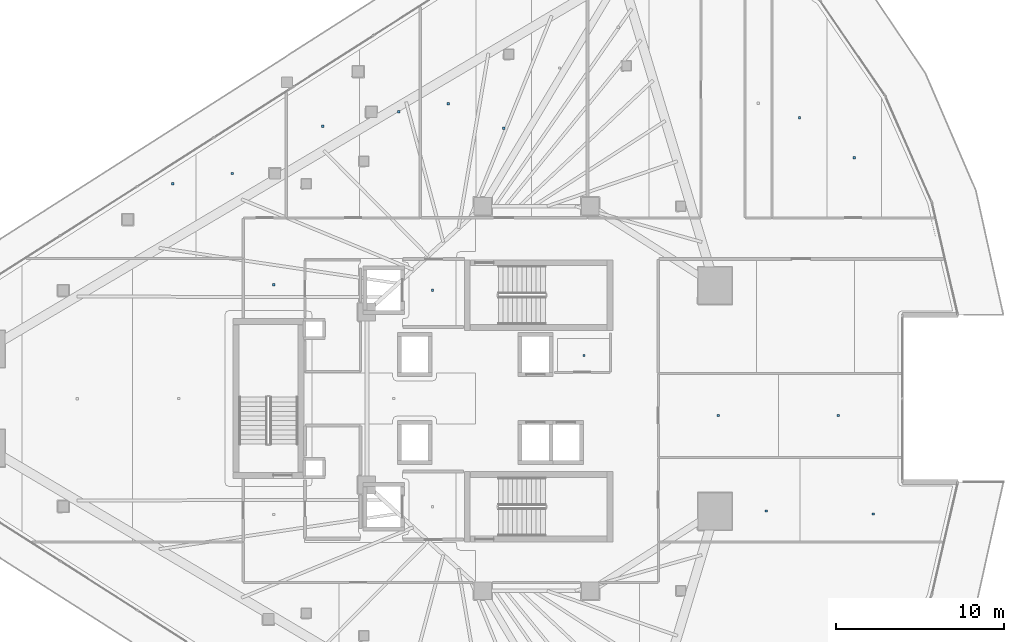
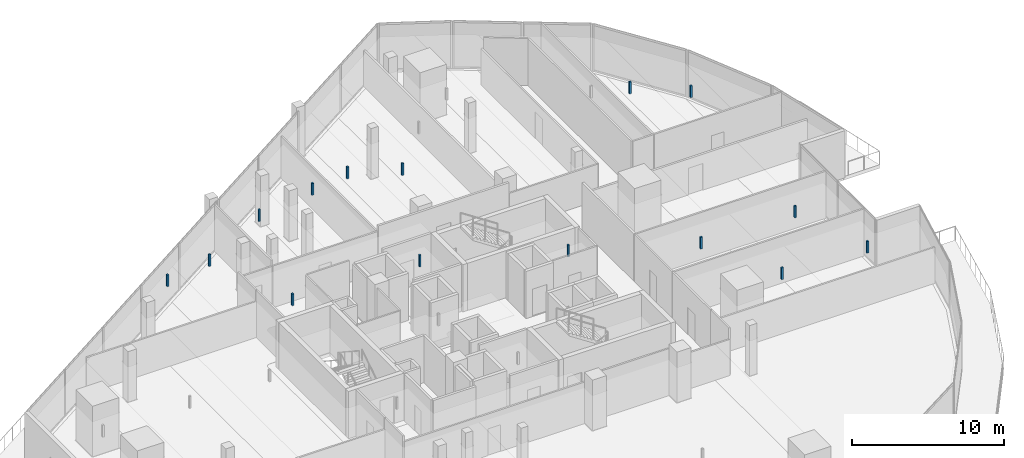
# One storey, part 27 of 35: 15 discrete accessories.
"""IFC4 building model written with IfcOpenShell, lengths in metres."""

import ifcopenshell
import ifcopenshell.guid

model = None  # the IFC model being written
_history = None  # IfcOwnerHistory: only IFC2X3 demands one
_inside = {}  # id of a spatial element -> (the spatial element, [elements in it])
_under = {}  # id of a project, library or spatial element -> (it, [spatial elements below it])
_declared = {}  # id of a project -> (the project, [libraries it declares])
_typed = {}  # id of a type object -> (the type object, [elements of that type])
_made_of = {}  # id of a material, layer set ... -> (it, [elements and type objects made of it])


def new_model(schema):
    """Start an empty IFC model of exactly this schema.

    Asked for "IFC4X3", IfcOpenShell would pick the latest addendum, in which some entities
    have other attributes; the version numbers below select the first issue.
    IFC2X3 requires an IfcOwnerHistory on every rooted entity: one is made here for all.
    """
    global model, _history
    if schema == "IFC4X3":
        model = ifcopenshell.file(schema_version=(4, 3, 0, 0))
    else:
        model = ifcopenshell.file(schema=schema)
    _inside.clear()
    _under.clear()
    _declared.clear()
    _typed.clear()
    _made_of.clear()
    _history = None
    if model.schema == "IFC2X3":
        org = make("IfcOrganization", Name="unknown")
        user = make(
            "IfcPersonAndOrganization",
            ThePerson=make("IfcPerson", FamilyName="unknown"),
            TheOrganization=org,
        )
        app = make(
            "IfcApplication",
            ApplicationDeveloper=org,
            Version="unknown",
            ApplicationFullName="unknown",
            ApplicationIdentifier="unknown",
        )
        _history = make(
            "IfcOwnerHistory",
            OwningUser=user,
            OwningApplication=app,
            ChangeAction="ADDED",
            CreationDate=0,
        )
    return model


def make(cls, **values):
    """One entity of the class cls with the attributes given. An attribute that is None is left unset."""
    return model.create_entity(
        cls, **{name: value for name, value in values.items() if value is not None}
    )


def rooted(cls, **values):
    """An entity with a GlobalId (a new one), such as an element, a storey or a relation."""
    return make(cls, GlobalId=ifcopenshell.guid.new(), OwnerHistory=_history, **values)


def si_unit(unit_type, name, prefix=None):
    """IfcSIUnit, for example si_unit("LENGTHUNIT", "METRE", prefix="MILLI")."""
    return make("IfcSIUnit", UnitType=unit_type, Prefix=prefix, Name=name)


def assignment(units):
    """IfcUnitAssignment: the units of a project."""
    return None if units is None else make("IfcUnitAssignment", Units=units)


def point(xyz):
    """IfcCartesianPoint."""
    return None if xyz is None else make("IfcCartesianPoint", Coordinates=xyz)


def direction(xyz):
    """IfcDirection."""
    return None if xyz is None else make("IfcDirection", DirectionRatios=xyz)


def frame(location, z_axis=None, x_axis=None):
    """IfcAxis2Placement3D, a coordinate frame: its origin and axes. An axis left out is left unset."""
    return make(
        "IfcAxis2Placement3D",
        Location=point(location),
        Axis=direction(z_axis),
        RefDirection=direction(x_axis),
    )


def frame_2d(location, x_axis=None):
    """IfcAxis2Placement2D, a coordinate frame in the plane: its origin and x axis."""
    return make(
        "IfcAxis2Placement2D", Location=point(location), RefDirection=direction(x_axis)
    )


def origin():
    """The frame at (0, 0, 0) with its axes left unset."""
    return frame((0.0, 0.0, 0.0))


def origin_2d():
    """The frame at (0, 0) in the plane with its x axis left unset."""
    return frame_2d((0.0, 0.0))


def place(relative_to, where):
    """IfcLocalPlacement: puts the frame where relative to a parent placement (None: the world)."""
    return make(
        "IfcLocalPlacement", PlacementRelTo=relative_to, RelativePlacement=where
    )


def context(
    kind, dimensions, precision=None, world=None, true_north=None, identifier=None
):
    """IfcGeometricRepresentationContext, for example the 3D "Model" context."""
    return make(
        "IfcGeometricRepresentationContext",
        ContextIdentifier=identifier,
        ContextType=kind,
        CoordinateSpaceDimension=dimensions,
        Precision=precision,
        WorldCoordinateSystem=world,
        TrueNorth=true_north,
    )


def subcontext(parent, identifier, kind, view, scale=None):
    """IfcGeometricRepresentationSubContext, for example "Body" below "Model"."""
    return make(
        "IfcGeometricRepresentationSubContext",
        ContextIdentifier=identifier,
        ContextType=kind,
        ParentContext=parent,
        TargetScale=scale,
        TargetView=view,
    )


def project(units=None, contexts=None):
    """IfcProject with its units and contexts."""
    return rooted(
        "IfcProject",
        Name="project",
        RepresentationContexts=contexts,
        UnitsInContext=assignment(units),
    )


def spatial(cls, under=None, at=None, **own):
    """A site, building, storey or space (cls), placed at a placement, below another one or the project."""
    s = rooted(cls, ObjectPlacement=at, **own)
    if under is not None:
        _under.setdefault(under.id(), (under, []))[1].append(s)
    return s


def profile(cls, at=None, kind="AREA", **sizes):
    """A parametric profile (cls). Its sizes go by their IFC names, for example OverallWidth=200.0."""
    return make(cls, ProfileType=kind, Position=at, **sizes)


def rectangle(**sizes):
    """IfcRectangleProfileDef."""
    return profile("IfcRectangleProfileDef", **sizes)


def extrude(swept, where, along, depth):
    """IfcExtrudedAreaSolid: the profile swept, set in the frame where, extruded along a direction by depth."""
    return make(
        "IfcExtrudedAreaSolid",
        SweptArea=swept,
        Position=where,
        ExtrudedDirection=direction(along),
        Depth=depth,
    )


def shape(context_of_items, identifier, shape_type, items):
    """IfcShapeRepresentation: the items that make up one representation, for example the "Body"."""
    return make(
        "IfcShapeRepresentation",
        ContextOfItems=context_of_items,
        RepresentationIdentifier=identifier,
        RepresentationType=shape_type,
        Items=items,
    )


def material(Name=None, Category=None):
    """IfcMaterial."""
    return make("IfcMaterial", Name=Name, Category=Category)


def made_of(thing, what):
    """Note that an element or type object is made of a material, layer set ...; save() writes the relation."""
    if what is not None:
        _made_of.setdefault(what.id(), (what, []))[1].append(thing)
    return thing


def type_object(cls, material=None, **own):
    """A type object (cls), such as IfcWallType, which elements share."""
    return made_of(rooted(cls, **own), material)


def element(
    cls,
    number,
    at=None,
    inside=None,
    cuts=None,
    type_object=None,
    material=None,
    context=None,
    identifier="Body",
    shape_type=None,
    held_by="IfcProductDefinitionShape",
    body=None,
    shapes=None,
    **own,
):
    """One element of the class cls, such as IfcWall. Its Tag is "e" and its number.

    at: its placement. inside: the storey or other place that contains it. cuts: it is an
    opening in that element (IfcRelVoidsElement). A single representation is given by context,
    identifier, shape_type and body (its items); several are given by shapes. held_by: the class
    of the entity that holds the representations. save() writes the other relations.
    """
    e = rooted(cls, Tag="e%d" % number, ObjectPlacement=at, **own)
    if body is not None:
        shapes = [shape(context, identifier, shape_type, body)]
    if shapes is not None:
        e.Representation = make(held_by, Representations=shapes)
    if inside is not None:
        _inside.setdefault(inside.id(), (inside, []))[1].append(e)
    if cuts is not None:
        rooted(
            "IfcRelVoidsElement", RelatingBuildingElement=cuts, RelatedOpeningElement=e
        )
    if type_object is not None:
        _typed.setdefault(type_object.id(), (type_object, []))[1].append(e)
    return made_of(e, material)


def aggregate(whole, parts):
    """IfcRelAggregates: a whole, such as a stair, and the parts it consists of."""
    return rooted("IfcRelAggregates", RelatingObject=whole, RelatedObjects=parts)


def save(model, path):
    """Write the relations noted so far, then the file.

    IfcRelAggregates (storeys below a building ...), IfcRelContainedInSpatialStructure (elements
    in a storey), IfcRelDefinesByType, IfcRelAssociatesMaterial and IfcRelDeclares: one each for
    every whole, place, type object, material and project.
    """
    for whole, parts in _under.values():
        aggregate(whole, parts)
    for where, things in _inside.values():
        rooted(
            "IfcRelContainedInSpatialStructure",
            RelatedElements=things,
            RelatingStructure=where,
        )
    for kind, things in _typed.values():
        rooted("IfcRelDefinesByType", RelatedObjects=things, RelatingType=kind)
    for what, things in _made_of.values():
        rooted("IfcRelAssociatesMaterial", RelatedObjects=things, RelatingMaterial=what)
    for by, libraries in _declared.values():
        rooted("IfcRelDeclares", RelatingContext=by, RelatedDefinitions=libraries)
    model.write(path)


model = new_model("IFC4")

# Units and contexts
model_context = context("Model", 3, precision=1e-05, world=origin(), true_north=direction((0.0, 1.0)))
body_context = subcontext(model_context, "Body", "Model", "MODEL_VIEW")
ifc_project = project(units=[si_unit("LENGTHUNIT", "METRE"), si_unit("AREAUNIT", "SQUARE_METRE"), si_unit("VOLUMEUNIT", "CUBIC_METRE"), si_unit("PLANEANGLEUNIT", "RADIAN"), si_unit("MASSUNIT", "GRAM", prefix="KILO")], contexts=[model_context])

# Site, building, storey
site_placement = place(None, origin())
site = spatial("IfcSite", under=ifc_project, at=site_placement, CompositionType="ELEMENT")
building_placement = place(site_placement, origin())
building = spatial("IfcBuilding", under=site, at=building_placement, Name="Qorvath Tower", CompositionType="ELEMENT")
storey_placement = place(building_placement, frame((0.0, 0.0, 130.050048828125)))
storey = spatial("IfcBuildingStorey", under=building, at=storey_placement, Name="L29", CompositionType="ELEMENT", Elevation=130.050048828125)

# Discrete accessories
ifc_material = material(Name="Galvanised steel bracket", Category="steel")
discrete_accessory_type = type_object("IfcDiscreteAccessoryType", Name="DA-BRACKET", PredefinedType="BRACKET", material=ifc_material)
for number, where, z_axis, x_axis, name in (
    (1, (-26.590087890625, 6.449951171875, 2.85986328125), (0.0, 0.0, 1.0), (1.0, 0.0, 0.0), "Acoustic Ceiling Suspension Hanger T1-L29-001"),
    (2, (-17.572509765625, 2.5625, 2.85986328125), (0.0, 0.0, 1.0), (1.0, 0.0, 0.0), "Acoustic Ceiling Suspension Hanger T1-L29-003"),
    (3, (-36.040283203125, 6.782470703125, 2.85986328125), (0.0, 0.0, 1.0), (1.0, 0.0, 0.0), "Acoustic Ceiling Suspension Hanger T1-L29-007"),
    (4, (-42.062744140625, 12.78076171875, 2.85986328125), (0.0, 0.0, 1.0), (1.0, 0.0, 0.0), "Acoustic Ceiling Suspension Hanger T1-L29-009"),
    (5, (-38.52099609375, 13.402099609375, 2.85986328125), (0.0, 0.0, 1.0), (1.0, 0.0, 0.0), "Acoustic Ceiling Suspension Hanger T1-L29-010"),
    (6, (-33.118408203125, 16.217041015625, 2.85986328125), (0.0, 0.0, 1.0), (1.0, 0.0, 0.0), "Acoustic Ceiling Suspension Hanger T1-L29-011"),
    (7, (-28.5927734375, 17.080810546875, 2.85986328125), (0.0, 0.0, 1.0), (1.0, 0.0, 0.0), "Acoustic Ceiling Suspension Hanger T1-L29-012"),
    (8, (-25.6533203125, 17.5537109375, 2.85986328125), (0.0, 0.0, 1.0), (1.0, 0.0, 0.0), "Acoustic Ceiling Suspension Hanger T1-L29-013"),
    (9, (-22.34033203125, 16.088623046875, 2.85986328125), (0.0, 0.0, 1.0), (1.0, 0.0, 0.0), "Acoustic Ceiling Suspension Hanger T1-L29-014"),
    (10, (-4.737060546875, 16.709228515625, 2.85986328125), (0.0, 0.0, 1.0), (1.0, 0.0, 0.0), "Acoustic Ceiling Suspension Hanger T1-L29-019"),
    (11, (-1.4814453125, 14.3271484375, 2.85986328125), (0.0, 0.0, 1.0), (1.0, 0.0, 0.0), "Acoustic Ceiling Suspension Hanger T1-L29-020"),
    (12, (-6.712646484375, -6.7001953125, 2.85986328125), (0.0, 0.0, 1.0), (1.0, 0.0, 0.0), "Acoustic Ceiling Suspension Hanger T1-L29-025"),
    (13, (-0.351318359375, -6.8798828125, 2.85986328125), (0.0, 0.0, 1.0), (1.0, 0.0, 0.0), "Acoustic Ceiling Suspension Hanger T1-L29-026"),
    (14, (-9.56982421875, -1.0126953125, 2.85986328125), (0.0, 0.0, 1.0), (1.0, 0.0, 0.0), "Acoustic Ceiling Suspension Hanger T1-L29-027"),
    (15, (-2.435302734375, -1.0126953125, 2.85986328125), (0.0, 0.0, 1.0), (1.0, 0.0, 0.0), "Acoustic Ceiling Suspension Hanger T1-L29-028"),
):
    element("IfcDiscreteAccessory", number, at=place(storey_placement, frame(where, z_axis=z_axis, x_axis=x_axis)), inside=storey, type_object=discrete_accessory_type, Name=name, PredefinedType="NOTDEFINED", context=body_context, shape_type="SweptSolid", body=[
        extrude(rectangle(XDim=0.139892578125, YDim=0.139892578125, at=origin_2d()), origin(), (0.0, 0.0, 1.0), 0.9501953125),
    ])

save(model, "model.ifc")
